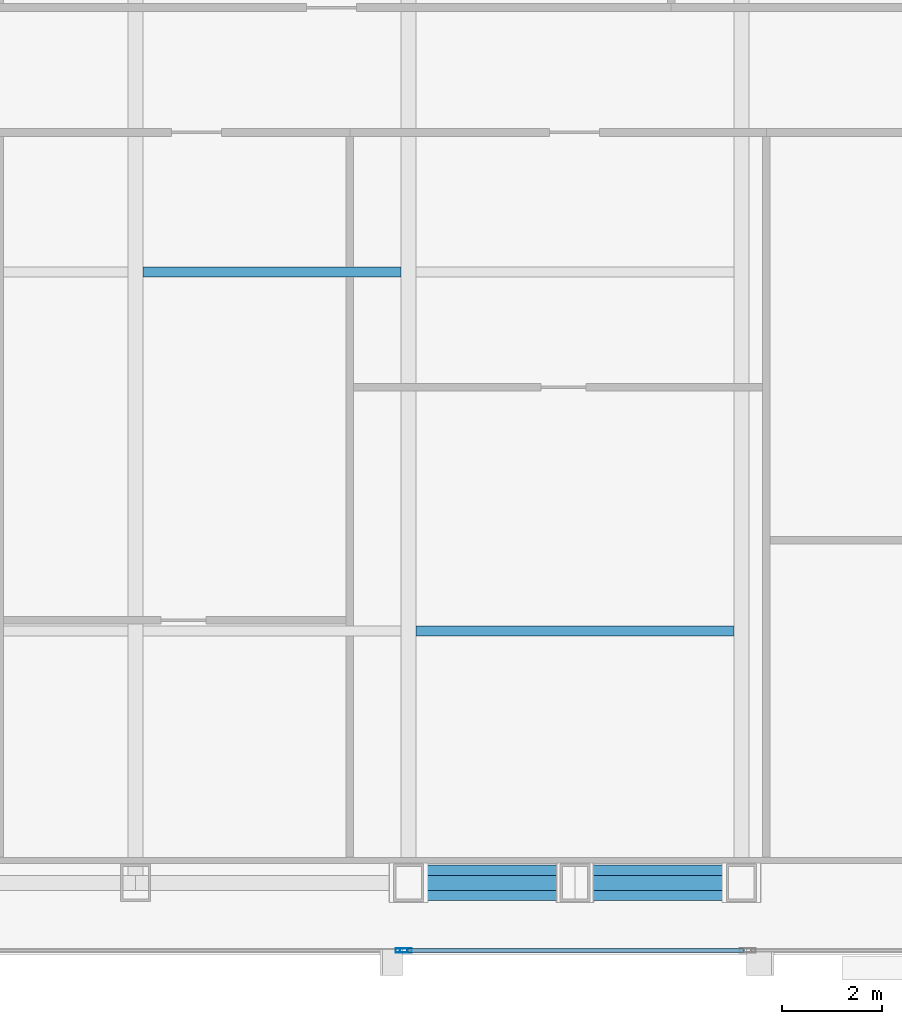
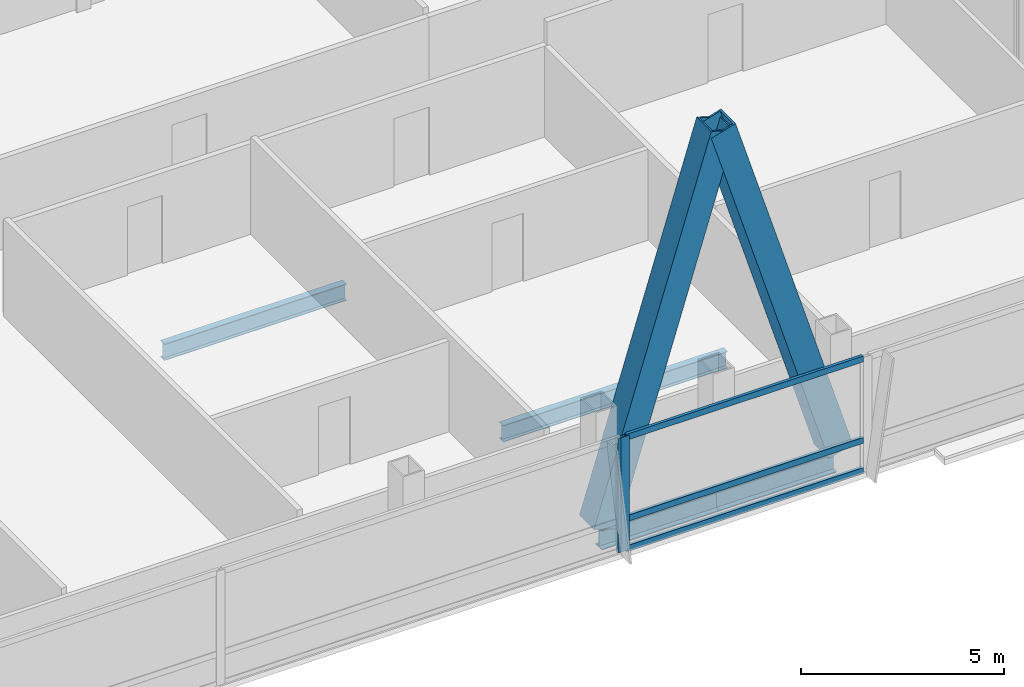
# One storey, part 12 of 32: 7 members, 4 beams, 2 elements without a shape of their own.
"""IFC4 building model written with IfcOpenShell, lengths in metres."""

from ifc_helpers import new_model, si_unit, direction, frame, origin, origin_2d, place, context, subcontext, project, spatial, hollow_rectangle, i_section, extrude, material, material_profile, profile_set, type_object, element, aggregate, save


model = new_model("IFC4")

# Units and contexts
model_context = context("Model", 3, precision=1e-05, world=origin(), true_north=direction((0.0, 1.0)))
body_context = subcontext(model_context, "Body", "Model", "MODEL_VIEW")
ifc_project = project(units=[si_unit("LENGTHUNIT", "METRE"), si_unit("AREAUNIT", "SQUARE_METRE"), si_unit("VOLUMEUNIT", "CUBIC_METRE"), si_unit("PLANEANGLEUNIT", "RADIAN"), si_unit("MASSUNIT", "GRAM", prefix="KILO")], contexts=[model_context])

# Site, building, storey
site_placement = place(None, origin())
site = spatial("IfcSite", under=ifc_project, at=site_placement, CompositionType="ELEMENT")
building_placement = place(site_placement, origin())
building = spatial("IfcBuilding", under=site, at=building_placement, Name="Khoronbel Lancet Exchange", CompositionType="ELEMENT")
storey_placement = place(building_placement, frame((0.0, 0.0, 188.60009765625)))
storey = spatial("IfcBuildingStorey", under=building, at=storey_placement, Name="L47", CompositionType="ELEMENT", Elevation=188.60009765625)

# Beams
ifc_material_1 = material(Name="Steel S355", Category="steel")
ifc_material_profile_1 = material_profile(ifc_material_1, i_section(OverallWidth=0.199951171875, OverallDepth=0.5, WebThickness=0.01025390625, FlangeThickness=0.01611328125, at=origin_2d()), Name="IPE 500")
ifc_profile_set_1 = profile_set([ifc_material_profile_1], Name="Steel S355")
beam_type_1 = type_object("IfcBeamType", Name="BM-BJ3", PredefinedType="JOIST", material=ifc_profile_set_1)
beam_1_placement = place(storey_placement, frame((48.14990234375, 15.199951171875, -0.41015625), z_axis=(1.0, 0.0, 0.0), x_axis=(0.0, 1.0, 0.0)))
element("IfcBeam", 1, at=beam_1_placement, inside=storey, type_object=beam_type_1, Name="Level L47 secondary composite joist J05", PredefinedType="JOIST", context=body_context, shape_type="SweptSolid", body=[
    extrude(i_section(OverallWidth=0.199951171875, OverallDepth=0.5, WebThickness=0.01025390625, FlangeThickness=0.01611328125, at=origin_2d()), origin(), (0.0, 0.0, 1.0), 6.375),
])
beam_2_placement = place(storey_placement, frame((42.675048828125, 22.39990234375, -0.41015625), z_axis=(1.0, 0.0, 0.0), x_axis=(0.0, 1.0, 0.0)))
element("IfcBeam", 2, at=beam_2_placement, inside=storey, type_object=beam_type_1, Name="Level L47 secondary composite joist J09", PredefinedType="JOIST", context=body_context, shape_type="SweptSolid", body=[
    extrude(i_section(OverallWidth=0.199951171875, OverallDepth=0.5, WebThickness=0.01025390625, FlangeThickness=0.01611328125, at=origin_2d()), origin(), (0.0, 0.0, 1.0), 5.175048828125),
])
ifc_material_profile_2 = material_profile(ifc_material_1, i_section(OverallWidth=0.300048828125, OverallDepth=0.60009765625, WebThickness=0.015380859375, FlangeThickness=0.030029296875, at=origin_2d()), Name="HEB 600")
ifc_profile_set_2 = profile_set([ifc_material_profile_2], Name="Steel S355")
beam_type_2 = type_object("IfcBeamType", Name="BM-BSP2", PredefinedType="SPANDREL", material=ifc_profile_set_2)
beam_3_placement = place(storey_placement, frame((48.0, 10.14990234375, -0.460205078125), z_axis=(1.0, 0.0, 0.0), x_axis=(0.0, 1.0, 0.0)))
element("IfcBeam", 3, at=beam_3_placement, inside=storey, type_object=beam_type_2, Name="Level L47 perimeter spandrel beam SP06", PredefinedType="SPANDREL", context=body_context, shape_type="SweptSolid", body=[
    extrude(i_section(OverallWidth=0.300048828125, OverallDepth=0.60009765625, WebThickness=0.015380859375, FlangeThickness=0.030029296875, at=origin_2d()), origin(), (0.0, 0.0, 1.0), 3.33740234375),
])
beam_4_placement = place(storey_placement, frame((51.33740234375, 10.14990234375, -0.460205078125), z_axis=(1.0, 0.0, 0.0), x_axis=(0.0, 1.0, 0.0)))
element("IfcBeam", 4, at=beam_4_placement, inside=storey, type_object=beam_type_2, Name="Level L47 perimeter spandrel beam SP07", PredefinedType="SPANDREL", context=body_context, shape_type="SweptSolid", body=[
    extrude(i_section(OverallWidth=0.300048828125, OverallDepth=0.60009765625, WebThickness=0.015380859375, FlangeThickness=0.030029296875, at=origin_2d()), origin(), (0.0, 0.0, 1.0), 3.337646484375),
])

# Curtain wall, member
ifc_material_2 = material(Name="Low-E Solar Control Insulating Glass", Category="glass")
curtain_wall_type = type_object("IfcCurtainWallType", Name="CW-3", PredefinedType="NOTDEFINED", material=ifc_material_2)
curtain_wall_1_placement = place(storey_placement, origin())
curtain_wall_1 = element("IfcCurtainWall", 5, at=curtain_wall_1_placement, inside=storey, type_object=curtain_wall_type, Name="Unitised curtain wall CW-L47-SCV", PredefinedType="NOTDEFINED")
ifc_material_3 = material(Name="Bronze-Anodised Aluminium 6063-T6", Category="aluminium")
ifc_material_profile_3 = material_profile(ifc_material_3, hollow_rectangle(XDim=0.0849609375, YDim=0.239990234375, WallThickness=0.006103515625, at=origin_2d()), Name="ALU MULLION 85x240")
ifc_profile_set_3 = profile_set([ifc_material_profile_3], Name="Bronze-Anodised Aluminium 6063-T6")
member_type_1 = type_object("IfcMemberType", Name="MEM-CWM1", PredefinedType="MULLION", material=ifc_profile_set_3)
member_1_placement = place(storey_placement, frame((47.857421875, 8.7900390625, 0.0), z_axis=(0.0, 0.0, 1.0), x_axis=(0.0, 1.0, 0.0)))
member_1 = element("IfcMember", 6, at=member_1_placement, type_object=member_type_1, Name="CW3 mullion 3", PredefinedType="MULLION", context=body_context, shape_type="SweptSolid", body=[
    extrude(hollow_rectangle(XDim=0.0849609375, YDim=0.239990234375, WallThickness=0.006103515625, at=origin_2d()), origin(), (0.0, 0.0, 1.0), 3.43994140625),
])
aggregate(curtain_wall_1, [member_1])

# Curtain wall, members
curtain_wall_2_placement = place(storey_placement, origin())
curtain_wall_2 = element("IfcCurtainWall", 7, at=curtain_wall_2_placement, inside=storey, type_object=curtain_wall_type, Name="Unitised curtain wall CW-L47-SEB", PredefinedType="NOTDEFINED")
member_2_placement = place(storey_placement, frame((47.9423828125, 8.7900390625, 0.0), z_axis=(0.0, 0.0, 1.0), x_axis=(0.0, 1.0, 0.0)))
member_2 = element("IfcMember", 8, at=member_2_placement, type_object=member_type_1, Name="CW3 mullion 1", PredefinedType="MULLION", context=body_context, shape_type="SweptSolid", body=[
    extrude(hollow_rectangle(XDim=0.0849609375, YDim=0.239990234375, WallThickness=0.006103515625, at=origin_2d()), origin(), (0.0, 0.0, 1.0), 3.43994140625),
])
ifc_material_profile_4 = material_profile(ifc_material_3, hollow_rectangle(XDim=0.0849609375, YDim=0.179931640625, WallThickness=0.0048828125, at=origin_2d()), Name="ALU TRANSOM 85x180")
ifc_profile_set_4 = profile_set([ifc_material_profile_4], Name="Bronze-Anodised Aluminium 6063-T6")
member_type_2 = type_object("IfcMemberType", Name="MEM-CWT1", PredefinedType="USERDEFINED", material=ifc_profile_set_4)
member_3_placement = place(storey_placement, frame((47.985107421875, 8.7900390625, 0.04248046875), z_axis=(1.0, 0.0, 0.0), x_axis=(0.0, 1.0, 0.0)))
member_3 = element("IfcMember", 9, at=member_3_placement, type_object=member_type_2, Name="CW3 transom 1.1", ObjectType="TRANSOM", PredefinedType="USERDEFINED", context=body_context, shape_type="SweptSolid", body=[
    extrude(hollow_rectangle(XDim=0.0849609375, YDim=0.179931640625, WallThickness=0.0048828125, at=origin_2d()), origin(), (0.0, 0.0, 1.0), 6.72998046875),
])
member_4_placement = place(storey_placement, frame((47.985107421875, 8.7900390625, 0.949951171875), z_axis=(1.0, 0.0, 0.0), x_axis=(0.0, 1.0, 0.0)))
member_4 = element("IfcMember", 10, at=member_4_placement, type_object=member_type_2, Name="CW3 transom 1.2", ObjectType="TRANSOM", PredefinedType="USERDEFINED", context=body_context, shape_type="SweptSolid", body=[
    extrude(hollow_rectangle(XDim=0.0849609375, YDim=0.179931640625, WallThickness=0.0048828125, at=origin_2d()), origin(), (0.0, 0.0, 1.0), 6.72998046875),
])
member_5_placement = place(storey_placement, frame((47.985107421875, 8.7900390625, 3.3974609375), z_axis=(1.0, 0.0, 0.0), x_axis=(0.0, 1.0, 0.0)))
member_5 = element("IfcMember", 11, at=member_5_placement, type_object=member_type_2, Name="CW3 transom 1.3", ObjectType="TRANSOM", PredefinedType="USERDEFINED", context=body_context, shape_type="SweptSolid", body=[
    extrude(hollow_rectangle(XDim=0.0849609375, YDim=0.179931640625, WallThickness=0.0048828125, at=origin_2d()), origin(), (0.0, 0.0, 1.0), 6.72998046875),
])
aggregate(curtain_wall_2, [member_2, member_3, member_4, member_5])

# Members
ifc_material_4 = material(Name="Steel S460", Category="steel")
ifc_material_profile_5 = material_profile(ifc_material_4, hollow_rectangle(XDim=0.719970703125, YDim=0.719970703125, WallThickness=0.050048828125, at=origin_2d()), Name="BOX 720x720x50")
ifc_profile_set_5 = profile_set([ifc_material_profile_5], Name="Steel S460")
member_type_3 = type_object("IfcMemberType", Name="MEM-MB2", PredefinedType="BRACE", material=ifc_profile_set_5)
for number, where, z_axis, x_axis, name in (
    (12, (48.0, 10.14990234375, 0.0), (0.295248201357, 0.0, 0.955420587802), (0.0, 1.0, 0.0), "Perimeter lancet brace tier 16 S-E-L"),
    (13, (54.675048828125, 10.14990234375, 0.0), (-0.295267916675, 0.0, 0.955414495066), (0.0, -1.0, 0.0), "Perimeter lancet brace tier 16 S-E-R"),
):
    element("IfcMember", number, at=place(storey_placement, frame(where, z_axis=z_axis, x_axis=x_axis)), inside=storey, type_object=member_type_3, Name=name, PredefinedType="BRACE", context=body_context, shape_type="SweptSolid", body=[
        extrude(hollow_rectangle(XDim=0.719970703125, YDim=0.719970703125, WallThickness=0.050048828125, at=origin_2d()), origin(), (0.0, 0.0, 1.0), 11.3037109375),
    ])

save(model, "model.ifc")
